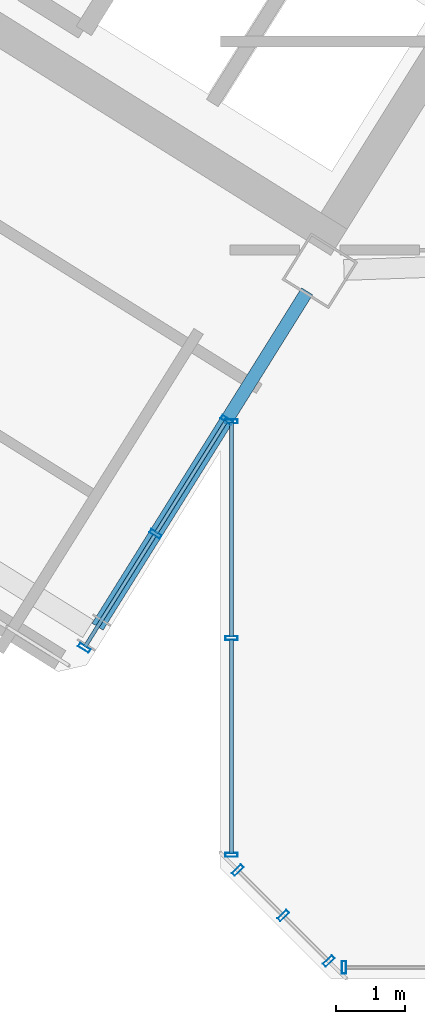
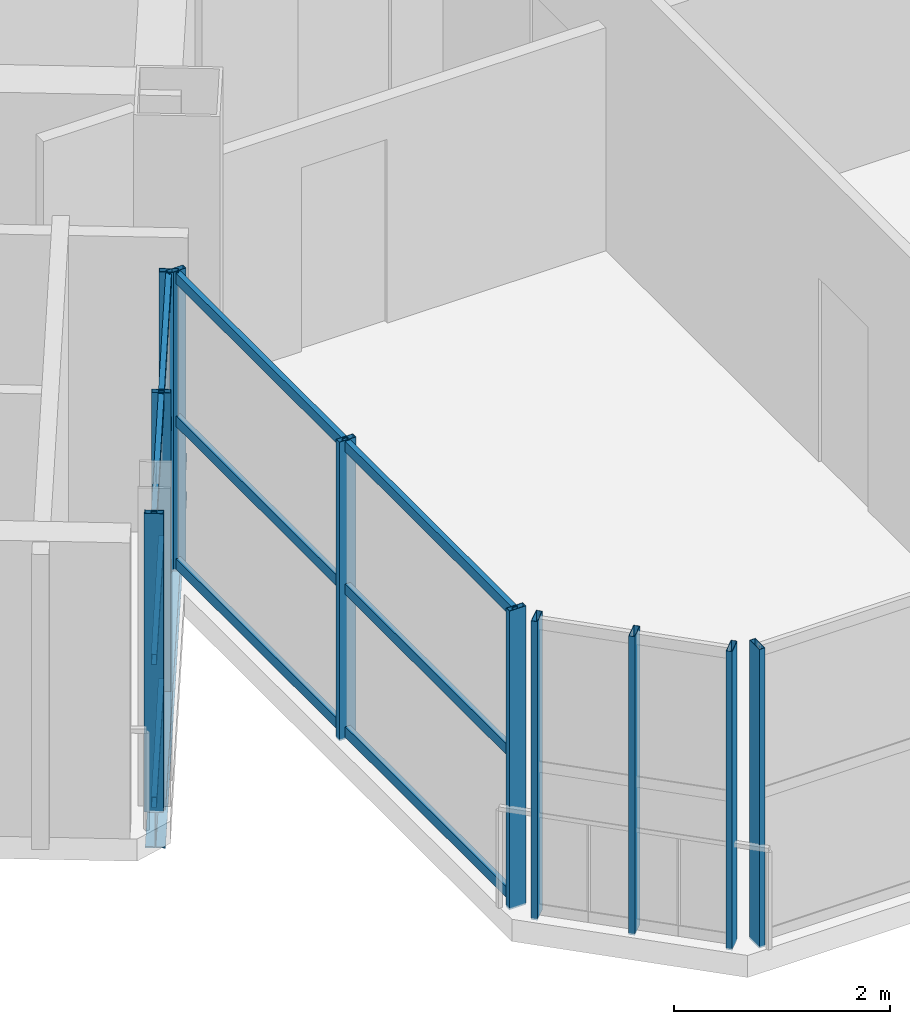
# One storey, part 6 of 29: 22 members, 1 beam, 4 elements without a shape of their own.
"""IFC4 building model written with IfcOpenShell, lengths in metres."""

from ifc_helpers import new_model, si_unit, direction, frame, origin, origin_2d, place, context, subcontext, project, spatial, hollow_rectangle, i_section, extrude, source, transform, mapped, material, material_profile, profile_set, type_object, element, aggregate, save


model = new_model("IFC4")

# Units and contexts
model_context = context("Model", 3, precision=1e-05, world=origin(), true_north=direction((0.0, 1.0)))
body_context = subcontext(model_context, "Body", "Model", "MODEL_VIEW")
ifc_project = project(units=[si_unit("LENGTHUNIT", "METRE"), si_unit("AREAUNIT", "SQUARE_METRE"), si_unit("VOLUMEUNIT", "CUBIC_METRE"), si_unit("PLANEANGLEUNIT", "RADIAN"), si_unit("MASSUNIT", "GRAM", prefix="KILO")], contexts=[model_context])

# Site, building, storey
site_placement = place(None, origin())
site = spatial("IfcSite", under=ifc_project, at=site_placement, CompositionType="ELEMENT")
building_placement = place(site_placement, origin())
building = spatial("IfcBuilding", under=site, at=building_placement, Name="Tlacorven Tower", CompositionType="ELEMENT")
storey_placement = place(building_placement, frame((0.0, 0.0, 238.5)))
storey = spatial("IfcBuildingStorey", under=building, at=storey_placement, Name="L60", CompositionType="ELEMENT", Elevation=238.5)

# Beam
ifc_material_1 = material(Name="Steel S355J2", Category="steel")
ifc_material_profile_1 = material_profile(ifc_material_1, i_section(OverallWidth=0.18994140625, OverallDepth=0.449951171875, WebThickness=0.009521484375, FlangeThickness=0.0146484375, at=origin_2d()), Name="IPE 450")
ifc_profile_set_1 = profile_set([ifc_material_profile_1], Name="Steel S355J2")
beam_type = type_object("IfcBeamType", Name="BM-TWR-450", PredefinedType="BEAM", material=ifc_profile_set_1)
shared_shape_1 = source(origin(), body_context, "Body", "SweptSolid", [
    extrude(i_section(OverallWidth=0.18994140625, OverallDepth=0.449951171875, WebThickness=0.009521484375, FlangeThickness=0.0146484375, at=origin_2d()), origin(), (0.0, 0.0, 1.0), 5.749755859375),
])
beam_placement = place(storey_placement, frame((32.860595703125, 11.7900390625, -0.47509765625), z_axis=(-0.529903520428, -0.848057933775, 0.0), x_axis=(0.848057933775, -0.529903520428, 0.0)))
element("IfcBeam", 1, at=beam_placement, inside=storey, type_object=beam_type, Name="L60 beam BM-L60-WT1-2", PredefinedType="BEAM", context=body_context, shape_type="MappedRepresentation", body=[
    mapped(shared_shape_1, transform((0.0, 0.0, 0.0), scale=1.0)),
])

# Curtain wall, member
ifc_material_2 = material(Name="Dark solar low-E double glazing in aluminium frame", Category="aluminium")
curtain_wall_type = type_object("IfcCurtainWallType", Name="CW-TWR-HIGH", PredefinedType="USERDEFINED", material=ifc_material_2)
curtain_wall_1_placement = place(storey_placement, origin())
curtain_wall_1 = element("IfcCurtainWall", 2, at=curtain_wall_1_placement, inside=storey, type_object=curtain_wall_type, Name="L60 CW-TWR-HIGH Curtain Wall 273", ObjectType="UNITISED CURTAIN WALL", PredefinedType="USERDEFINED")
ifc_material_3 = material(Name="Aluminium 6063-T6 anodised", Category="aluminium")
ifc_material_profile_2 = material_profile(ifc_material_3, hollow_rectangle(XDim=0.06005859375, YDim=0.179931640625, WallThickness=0.00390625, at=origin_2d()), Name="ALU MULLION 60X180")
ifc_profile_set_2 = profile_set([ifc_material_profile_2], Name="Aluminium 6063-T6 anodised")
member_type_1 = type_object("IfcMemberType", Name="CWM-03", PredefinedType="MULLION", material=ifc_profile_set_2)
shared_shape_2 = source(origin(), body_context, "Body", "SweptSolid", [
    extrude(hollow_rectangle(XDim=0.06005859375, YDim=0.179931640625, WallThickness=0.00390625, at=origin_2d()), origin(), (0.0, 0.0, 1.0), 3.380126953125),
])
member_1_placement = place(storey_placement, frame((33.396240234375, 1.9599609375, -0.02001953125), z_axis=(0.0, 0.0, 1.0), x_axis=(-1.0, 0.0, 0.0)))
member_1 = element("IfcMember", 3, at=member_1_placement, type_object=member_type_1, Name="CW-L60-273 Mullion 4", PredefinedType="MULLION", context=body_context, shape_type="MappedRepresentation", body=[
    mapped(shared_shape_2, transform((0.0, 0.0, 0.0), scale=1.0)),
])
aggregate(curtain_wall_1, [member_1])

# Curtain wall, members
curtain_wall_2_placement = place(storey_placement, origin())
curtain_wall_2 = element("IfcCurtainWall", 4, at=curtain_wall_2_placement, inside=storey, type_object=curtain_wall_type, Name="L60 CW-TWR-HIGH Curtain Wall 274", ObjectType="UNITISED CURTAIN WALL", PredefinedType="USERDEFINED")
member_2_placement = place(storey_placement, frame((33.17431640625, 2.052001953125, -0.02001953125), z_axis=(0.0, 0.0, 1.0), x_axis=(-0.707106781187, 0.707106781187, 0.0)))
member_2 = element("IfcMember", 5, at=member_2_placement, type_object=member_type_1, Name="CW-L60-274 Mullion 1", PredefinedType="MULLION", context=body_context, shape_type="MappedRepresentation", body=[
    mapped(shared_shape_2, transform((0.0, 0.0, 0.0), scale=1.0)),
])
member_3_placement = place(storey_placement, frame((32.51318359375, 2.713134765625, -0.02001953125), z_axis=(0.0, 0.0, 1.0), x_axis=(-0.707106781187, 0.707106781187, 0.0)))
member_3 = element("IfcMember", 6, at=member_3_placement, type_object=member_type_1, Name="CW-L60-274 Mullion 2", PredefinedType="MULLION", context=body_context, shape_type="MappedRepresentation", body=[
    mapped(shared_shape_2, transform((0.0, 0.0, 0.0), scale=1.0)),
])
member_4_placement = place(storey_placement, frame((31.851806640625, 3.374267578125, -0.02001953125), z_axis=(0.0, 0.0, 1.0), x_axis=(-0.707106781187, 0.707106781187, 0.0)))
member_4 = element("IfcMember", 7, at=member_4_placement, type_object=member_type_1, Name="CW-L60-274 Mullion 3", PredefinedType="MULLION", context=body_context, shape_type="MappedRepresentation", body=[
    mapped(shared_shape_2, transform((0.0, 0.0, 0.0), scale=1.0)),
])
aggregate(curtain_wall_2, [member_2, member_3, member_4])

curtain_wall_3_placement = place(storey_placement, origin())
curtain_wall_3 = element("IfcCurtainWall", 8, at=curtain_wall_3_placement, inside=storey, type_object=curtain_wall_type, Name="L60 CW-TWR-HIGH Curtain Wall 275", ObjectType="UNITISED CURTAIN WALL", PredefinedType="USERDEFINED")
member_5_placement = place(storey_placement, frame((31.760009765625, 3.59619140625, -0.02001953125), z_axis=(0.0, 0.0, 1.0), x_axis=(0.0, 1.0, 0.0)))
member_5 = element("IfcMember", 9, at=member_5_placement, type_object=member_type_1, Name="CW-L60-275 Mullion 1", PredefinedType="MULLION", context=body_context, shape_type="MappedRepresentation", body=[
    mapped(shared_shape_2, transform((0.0, 0.0, 0.0), scale=1.0)),
])
member_6_placement = place(storey_placement, frame((31.760009765625, 6.74755859375, -0.02001953125), z_axis=(0.0, 0.0, 1.0), x_axis=(0.0, 1.0, 0.0)))
member_6 = element("IfcMember", 10, at=member_6_placement, type_object=member_type_1, Name="CW-L60-275 Mullion 2", PredefinedType="MULLION", context=body_context, shape_type="MappedRepresentation", body=[
    mapped(shared_shape_2, transform((0.0, 0.0, 0.0), scale=1.0)),
])
member_7_placement = place(storey_placement, frame((31.760009765625, 9.898681640625, -0.02001953125), z_axis=(0.0, 0.0, 1.0), x_axis=(0.0, 1.0, 0.0)))
member_7 = element("IfcMember", 11, at=member_7_placement, type_object=member_type_1, Name="CW-L60-275 Mullion 3", PredefinedType="MULLION", context=body_context, shape_type="MappedRepresentation", body=[
    mapped(shared_shape_2, transform((0.0, 0.0, 0.0), scale=1.0)),
])

curtain_wall_4_placement = place(storey_placement, origin())
curtain_wall_4 = element("IfcCurtainWall", 12, at=curtain_wall_4_placement, inside=storey, type_object=curtain_wall_type, Name="L60 CW-TWR-HIGH Curtain Wall 276", ObjectType="UNITISED CURTAIN WALL", PredefinedType="USERDEFINED")
member_8_placement = place(storey_placement, frame((31.691162109375, 9.91845703125, -0.02001953125), z_axis=(0.0, 0.0, 1.0), x_axis=(-0.529918710919, -0.848048441905, 0.0)))
member_8 = element("IfcMember", 13, at=member_8_placement, type_object=member_type_1, Name="CW-L60-276 Mullion 1", PredefinedType="MULLION", context=body_context, shape_type="MappedRepresentation", body=[
    mapped(shared_shape_2, transform((0.0, 0.0, 0.0), scale=1.0)),
])
member_9_placement = place(storey_placement, frame((30.656005859375, 8.261962890625, -0.02001953125), z_axis=(0.0, 0.0, 1.0), x_axis=(-0.529918710919, -0.848048441905, 0.0)))
member_9 = element("IfcMember", 14, at=member_9_placement, type_object=member_type_1, Name="CW-L60-276 Mullion 2", PredefinedType="MULLION", context=body_context, shape_type="MappedRepresentation", body=[
    mapped(shared_shape_2, transform((0.0, 0.0, 0.0), scale=1.0)),
])
member_10_placement = place(storey_placement, frame((29.620849609375, 6.605224609375, -0.02001953125), z_axis=(0.0, 0.0, 1.0), x_axis=(-0.529918710919, -0.848048441905, 0.0)))
member_10 = element("IfcMember", 15, at=member_10_placement, type_object=member_type_1, Name="CW-L60-276 Mullion 3", PredefinedType="MULLION", context=body_context, shape_type="MappedRepresentation", body=[
    mapped(shared_shape_2, transform((0.0, 0.0, 0.0), scale=1.0)),
])

# Member
ifc_material_profile_3 = material_profile(ifc_material_3, hollow_rectangle(XDim=0.054931640625, YDim=0.1201171875, WallThickness=0.00341796875, at=origin_2d()), Name="ALU TRANSOM 55X120")
ifc_profile_set_3 = profile_set([ifc_material_profile_3], Name="Aluminium 6063-T6 anodised")
member_type_2 = type_object("IfcMemberType", Name="CWT-03", PredefinedType="USERDEFINED", material=ifc_profile_set_3)
shared_shape_3 = source(origin(), body_context, "Body", "SweptSolid", [
    extrude(hollow_rectangle(XDim=0.054931640625, YDim=0.1201171875, WallThickness=0.00341796875, at=origin_2d()), origin(), (0.0, 0.0, 1.0), 3.115234375),
])
member_11_placement = place(storey_placement, frame((31.760009765625, 3.6142578125, 0.06005859375), z_axis=(0.0, 1.0, 0.0), x_axis=(-1.0, 0.0, 0.0)))
member_11 = element("IfcMember", 16, at=member_11_placement, type_object=member_type_2, Name="CW-L60-275 Transom 1", ObjectType="TRANSOM", PredefinedType="USERDEFINED", context=body_context, shape_type="MappedRepresentation", body=[
    mapped(shared_shape_3, transform((0.0, 0.0, 0.0), scale=1.0)),
])

member_12_placement = place(storey_placement, frame((31.760009765625, 3.6142578125, 1.675048828125), z_axis=(0.0, 1.0, 0.0), x_axis=(-1.0, 0.0, 0.0)))
member_12 = element("IfcMember", 17, at=member_12_placement, type_object=member_type_2, Name="CW-L60-275 Transom 2", ObjectType="TRANSOM", PredefinedType="USERDEFINED", context=body_context, shape_type="MappedRepresentation", body=[
    mapped(shared_shape_3, transform((0.0, 0.0, 0.0), scale=1.0)),
])

member_13_placement = place(storey_placement, frame((31.760009765625, 3.6142578125, 3.2900390625), z_axis=(0.0, 1.0, 0.0), x_axis=(-1.0, 0.0, 0.0)))
member_13 = element("IfcMember", 18, at=member_13_placement, type_object=member_type_2, Name="CW-L60-275 Transom 3", ObjectType="TRANSOM", PredefinedType="USERDEFINED", context=body_context, shape_type="MappedRepresentation", body=[
    mapped(shared_shape_3, transform((0.0, 0.0, 0.0), scale=1.0)),
])

member_14_placement = place(storey_placement, frame((31.760009765625, 6.765380859375, 0.06005859375), z_axis=(0.0, 1.0, 0.0), x_axis=(-1.0, 0.0, 0.0)))
member_14 = element("IfcMember", 19, at=member_14_placement, type_object=member_type_2, Name="CW-L60-275 Transom 4", ObjectType="TRANSOM", PredefinedType="USERDEFINED", context=body_context, shape_type="MappedRepresentation", body=[
    mapped(shared_shape_3, transform((0.0, 0.0, 0.0), scale=1.0)),
])

member_15_placement = place(storey_placement, frame((31.760009765625, 6.765380859375, 1.675048828125), z_axis=(0.0, 1.0, 0.0), x_axis=(-1.0, 0.0, 0.0)))
member_15 = element("IfcMember", 20, at=member_15_placement, type_object=member_type_2, Name="CW-L60-275 Transom 5", ObjectType="TRANSOM", PredefinedType="USERDEFINED", context=body_context, shape_type="MappedRepresentation", body=[
    mapped(shared_shape_3, transform((0.0, 0.0, 0.0), scale=1.0)),
])

member_16_placement = place(storey_placement, frame((31.760009765625, 6.765380859375, 3.2900390625), z_axis=(0.0, 1.0, 0.0), x_axis=(-1.0, 0.0, 0.0)))
member_16 = element("IfcMember", 21, at=member_16_placement, type_object=member_type_2, Name="CW-L60-275 Transom 6", ObjectType="TRANSOM", PredefinedType="USERDEFINED", context=body_context, shape_type="MappedRepresentation", body=[
    mapped(shared_shape_3, transform((0.0, 0.0, 0.0), scale=1.0)),
])

aggregate(curtain_wall_3, [member_5, member_6, member_7, member_11, member_12, member_13, member_14, member_15, member_16])

shared_shape_4 = source(origin(), body_context, "Body", "SweptSolid", [
    extrude(hollow_rectangle(XDim=0.054931640625, YDim=0.1201171875, WallThickness=0.00341796875, at=origin_2d()), origin(), (0.0, 0.0, 1.0), 1.91748046875),
])
member_17_placement = place(storey_placement, frame((31.681640625, 9.903076171875, 0.06005859375), z_axis=(-0.529953157166, -0.84802691656, 0.0), x_axis=(0.84802691656, -0.529953157166, 0.0)))
member_17 = element("IfcMember", 22, at=member_17_placement, type_object=member_type_2, Name="CW-L60-276 Transom 1", ObjectType="TRANSOM", PredefinedType="USERDEFINED", context=body_context, shape_type="MappedRepresentation", body=[
    mapped(shared_shape_4, transform((0.0, 0.0, 0.0), scale=1.0)),
])

member_18_placement = place(storey_placement, frame((31.681640625, 9.903076171875, 1.675048828125), z_axis=(-0.529953157166, -0.84802691656, 0.0), x_axis=(0.84802691656, -0.529953157166, 0.0)))
member_18 = element("IfcMember", 23, at=member_18_placement, type_object=member_type_2, Name="CW-L60-276 Transom 2", ObjectType="TRANSOM", PredefinedType="USERDEFINED", context=body_context, shape_type="MappedRepresentation", body=[
    mapped(shared_shape_4, transform((0.0, 0.0, 0.0), scale=1.0)),
])

member_19_placement = place(storey_placement, frame((31.681640625, 9.903076171875, 3.2900390625), z_axis=(-0.529953157166, -0.84802691656, 0.0), x_axis=(0.84802691656, -0.529953157166, 0.0)))
member_19 = element("IfcMember", 24, at=member_19_placement, type_object=member_type_2, Name="CW-L60-276 Transom 3", ObjectType="TRANSOM", PredefinedType="USERDEFINED", context=body_context, shape_type="MappedRepresentation", body=[
    mapped(shared_shape_4, transform((0.0, 0.0, 0.0), scale=1.0)),
])

member_20_placement = place(storey_placement, frame((30.646484375, 8.24658203125, 0.06005859375), z_axis=(-0.529953157166, -0.84802691656, 0.0), x_axis=(0.84802691656, -0.529953157166, 0.0)))
member_20 = element("IfcMember", 25, at=member_20_placement, type_object=member_type_2, Name="CW-L60-276 Transom 4", ObjectType="TRANSOM", PredefinedType="USERDEFINED", context=body_context, shape_type="MappedRepresentation", body=[
    mapped(shared_shape_4, transform((0.0, 0.0, 0.0), scale=1.0)),
])

member_21_placement = place(storey_placement, frame((30.646484375, 8.24658203125, 1.675048828125), z_axis=(-0.529953157166, -0.84802691656, 0.0), x_axis=(0.84802691656, -0.529953157166, 0.0)))
member_21 = element("IfcMember", 26, at=member_21_placement, type_object=member_type_2, Name="CW-L60-276 Transom 5", ObjectType="TRANSOM", PredefinedType="USERDEFINED", context=body_context, shape_type="MappedRepresentation", body=[
    mapped(shared_shape_4, transform((0.0, 0.0, 0.0), scale=1.0)),
])

member_22_placement = place(storey_placement, frame((30.646484375, 8.24658203125, 3.2900390625), z_axis=(-0.529953157166, -0.84802691656, 0.0), x_axis=(0.84802691656, -0.529953157166, 0.0)))
member_22 = element("IfcMember", 27, at=member_22_placement, type_object=member_type_2, Name="CW-L60-276 Transom 6", ObjectType="TRANSOM", PredefinedType="USERDEFINED", context=body_context, shape_type="MappedRepresentation", body=[
    mapped(shared_shape_4, transform((0.0, 0.0, 0.0), scale=1.0)),
])

aggregate(curtain_wall_4, [member_8, member_9, member_10, member_17, member_18, member_19, member_20, member_21, member_22])

save(model, "model.ifc")
